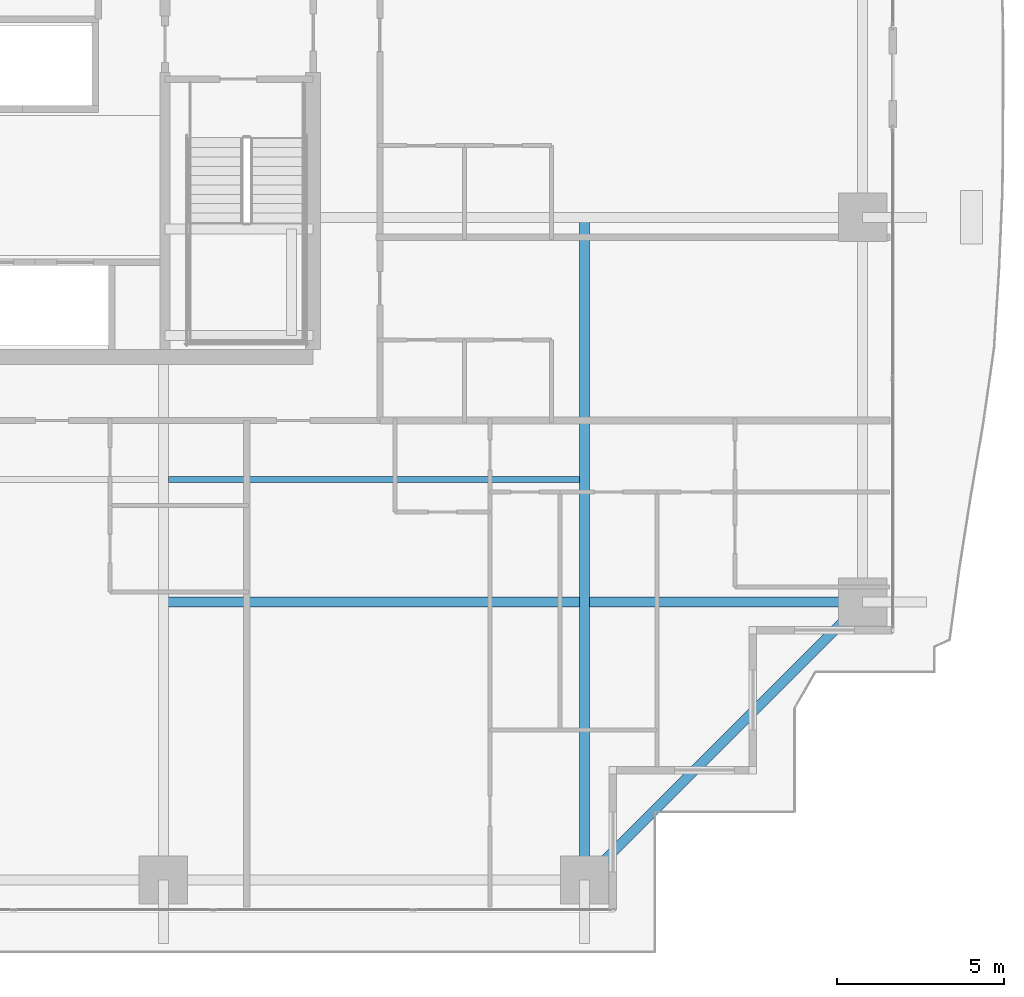
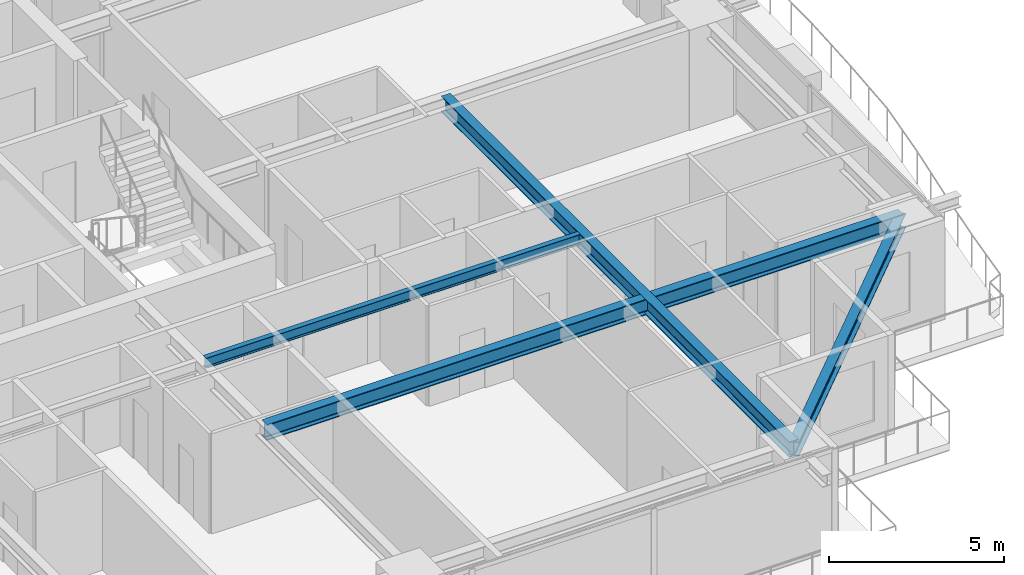
# One storey, part 11 of 38: 4 beams.
"""IFC4 building model written with IfcOpenShell, lengths in metres."""

from ifc_helpers import new_model, si_unit, direction, frame, origin, origin_2d, place, context, subcontext, project, spatial, i_section, extrude, source, transform, mapped, material, material_profile, profile_set, type_object, element, save


model = new_model("IFC4")

# Units and contexts
model_context = context("Model", 3, precision=1e-05, world=origin(), true_north=direction((0.0, 1.0)))
body_context = subcontext(model_context, "Body", "Model", "MODEL_VIEW")
ifc_project = project(units=[si_unit("LENGTHUNIT", "METRE"), si_unit("AREAUNIT", "SQUARE_METRE"), si_unit("VOLUMEUNIT", "CUBIC_METRE"), si_unit("PLANEANGLEUNIT", "RADIAN"), si_unit("MASSUNIT", "GRAM", prefix="KILO")], contexts=[model_context])

# Site, building, storey
site_placement = place(None, origin())
site = spatial("IfcSite", under=ifc_project, at=site_placement, CompositionType="ELEMENT")
building_placement = place(site_placement, origin())
building = spatial("IfcBuilding", under=site, at=building_placement, Name="Serunith Strait Residences", CompositionType="ELEMENT")
storey_placement = place(building_placement, frame((0.0, 0.0, 67.949951171875)))
storey = spatial("IfcBuildingStorey", under=building, at=storey_placement, Name="L16", CompositionType="ELEMENT", Elevation=67.949951171875)

# Beams
ifc_material = material(Name="Steel S355J2", Category="steel")
ifc_material_profile_1 = material_profile(ifc_material, i_section(OverallWidth=0.300048828125, OverallDepth=0.550048828125, WebThickness=0.014892578125, FlangeThickness=0.029052734375, FilletRadius=0.027099609375, at=origin_2d()), Name="HEB 550")
ifc_profile_set_1 = profile_set([ifc_material_profile_1], Name="Steel S355J2")
beam_type_1 = type_object("IfcBeamType", Name="BM-HEB550", PredefinedType="BEAM", material=ifc_profile_set_1)
shared_shape_1 = source(origin(), body_context, "Body", "SweptSolid", [
    extrude(i_section(OverallWidth=0.300048828125, OverallDepth=0.550048828125, WebThickness=0.014892578125, FlangeThickness=0.029052734375, FilletRadius=0.027099609375, at=origin_2d()), origin(), (0.0, 0.0, 1.0), 19.89990234375),
])
beam_1_placement = place(storey_placement, frame((49.550048828125, 21.0, 3.212158203125), z_axis=(0.0, -1.0, 0.0), x_axis=(1.0, 0.0, 0.0)))
element("IfcBeam", 1, at=beam_1_placement, inside=storey, type_object=beam_type_1, Name="L16 Orthogonal Corner Girder TC-S4", PredefinedType="BEAM", context=body_context, shape_type="MappedRepresentation", body=[
    mapped(shared_shape_1, transform((0.0, 0.0, 0.0), scale=1.0)),
])
shared_shape_2 = source(origin(), body_context, "Body", "SweptSolid", [
    extrude(i_section(OverallWidth=0.300048828125, OverallDepth=0.550048828125, WebThickness=0.014892578125, FlangeThickness=0.029052734375, FilletRadius=0.027099609375, at=origin_2d()), origin(), (0.0, 0.0, 1.0), 21.0),
])
beam_2_placement = place(storey_placement, frame((36.89990234375, 9.449951171875, 3.212158203125), z_axis=(1.0, 0.0, 0.0), x_axis=(0.0, 1.0, 0.0)))
element("IfcBeam", 2, at=beam_2_placement, inside=storey, type_object=beam_type_1, Name="L16 Orthogonal Corner Girder TC-E1", PredefinedType="BEAM", context=body_context, shape_type="MappedRepresentation", body=[
    mapped(shared_shape_2, transform((0.0, 0.0, 0.0), scale=1.0)),
])
ifc_material_profile_2 = material_profile(ifc_material, i_section(OverallWidth=0.300048828125, OverallDepth=0.5, WebThickness=0.014404296875, FlangeThickness=0.028076171875, FilletRadius=0.027099609375, at=origin_2d()), Name="HEB 500")
ifc_profile_set_2 = profile_set([ifc_material_profile_2], Name="Steel S355J2")
beam_type_2 = type_object("IfcBeamType", Name="BM-HEB500", PredefinedType="BEAM", material=ifc_profile_set_2)
shared_shape_3 = source(origin(), body_context, "Body", "SweptSolid", [
    extrude(i_section(OverallWidth=0.300048828125, OverallDepth=0.5, WebThickness=0.014404296875, FlangeThickness=0.028076171875, FilletRadius=0.027099609375, at=origin_2d()), origin(), (0.0, 0.0, 1.0), 11.80859375),
])
beam_3_placement = place(storey_placement, frame((49.550048828125, 1.10009765625, 3.20703125), z_axis=(0.707106781187, 0.707106781187, 0.0), x_axis=(-0.707106781187, 0.707106781187, 0.0)))
element("IfcBeam", 3, at=beam_3_placement, inside=storey, type_object=beam_type_2, Name="L16 Perimeter Ring Beam 04", PredefinedType="BEAM", context=body_context, shape_type="MappedRepresentation", body=[
    mapped(shared_shape_3, transform((0.0, 0.0, 0.0), scale=1.0)),
])
ifc_material_profile_3 = material_profile(ifc_material, i_section(OverallWidth=0.169921875, OverallDepth=0.360107421875, WebThickness=0.008056640625, FlangeThickness=0.0126953125, FilletRadius=0.01806640625, at=origin_2d()), Name="IPE 360")
ifc_profile_set_3 = profile_set([ifc_material_profile_3], Name="Steel S355J2")
beam_type_3 = type_object("IfcBeamType", Name="BM-IPE360", PredefinedType="JOIST", material=ifc_profile_set_3)
shared_shape_4 = source(origin(), body_context, "Body", "SweptSolid", [
    extrude(i_section(OverallWidth=0.169921875, OverallDepth=0.360107421875, WebThickness=0.008056640625, FlangeThickness=0.0126953125, FilletRadius=0.01806640625, at=origin_2d()), origin(), (0.0, 0.0, 1.0), 12.349853515625),
])
beam_4_placement = place(storey_placement, frame((37.050048828125, 13.125, 3.30712890625), z_axis=(1.0, 0.0, 0.0), x_axis=(0.0, 1.0, 0.0)))
element("IfcBeam", 4, at=beam_4_placement, inside=storey, type_object=beam_type_3, Name="L16 Composite Floor Joist 03", PredefinedType="JOIST", context=body_context, shape_type="MappedRepresentation", body=[
    mapped(shared_shape_4, transform((0.0, 0.0, 0.0), scale=1.0)),
])

save(model, "model.ifc")
